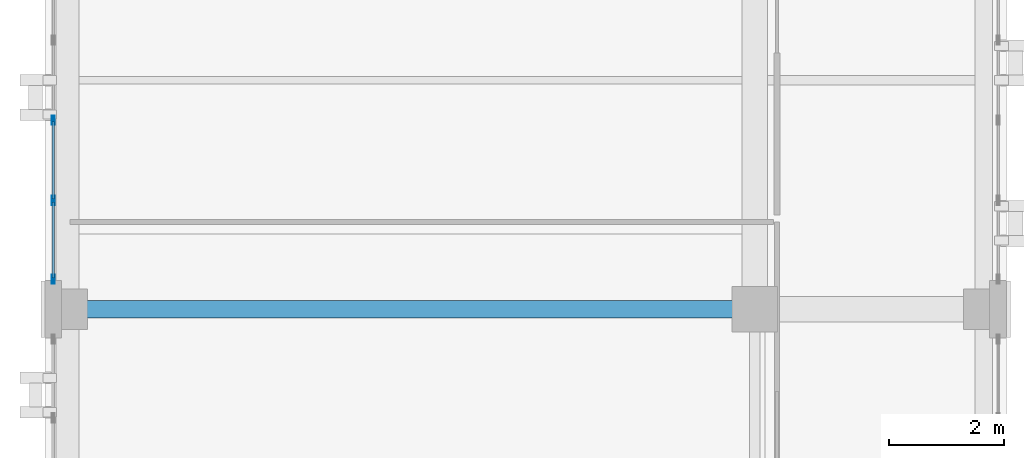
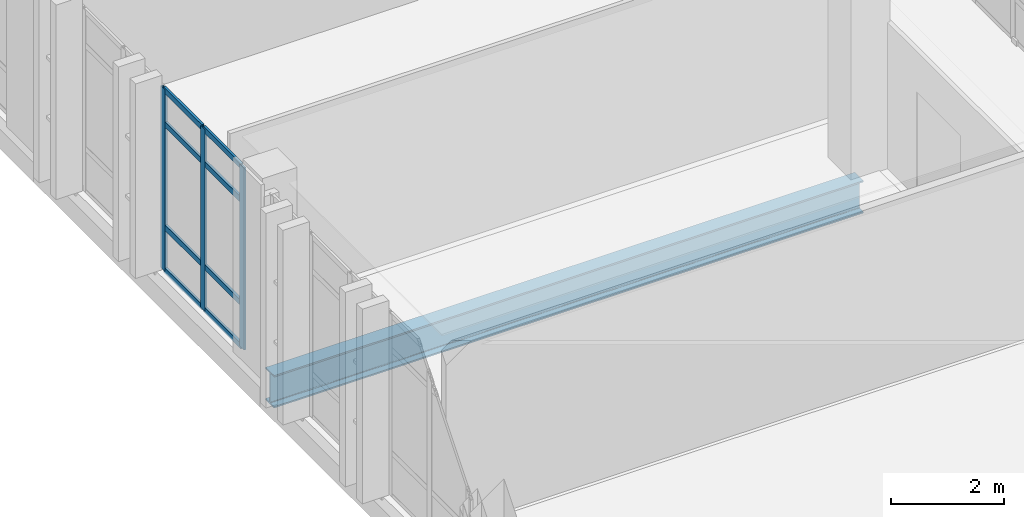
# One storey, part 65 of 165: 11 members, 1 beam, 1 element without a shape of its own.
"""IFC4 building model written with IfcOpenShell, lengths in metres."""

from ifc_helpers import new_model, si_unit, direction, frame, origin, origin_2d, place, context, subcontext, project, spatial, hollow_rectangle, i_section, extrude, material, layer, layer_set, material_profile, profile_set, type_object, element, aggregate, save


model = new_model("IFC4")

# Units and contexts
model_context = context("Model", 3, precision=1e-05, world=origin(), true_north=direction((0.0, 1.0)))
body_context = subcontext(model_context, "Body", "Model", "MODEL_VIEW")
ifc_project = project(units=[si_unit("LENGTHUNIT", "METRE"), si_unit("AREAUNIT", "SQUARE_METRE"), si_unit("VOLUMEUNIT", "CUBIC_METRE"), si_unit("PLANEANGLEUNIT", "RADIAN"), si_unit("MASSUNIT", "GRAM", prefix="KILO")], contexts=[model_context])

# Site, building, storey
site_placement = place(None, origin())
site = spatial("IfcSite", under=ifc_project, at=site_placement, CompositionType="ELEMENT")
building_placement = place(site_placement, origin())
building = spatial("IfcBuilding", under=site, at=building_placement, Name="Qalavern Law Courts", CompositionType="ELEMENT")
storey_placement = place(building_placement, frame((0.0, 0.0, 14.39990234375)))
storey = spatial("IfcBuildingStorey", under=building, at=storey_placement, Name="L03", CompositionType="ELEMENT", Elevation=14.39990234375)

# Curtain wall, members
ifc_material_1 = material(Name="Anodised aluminium and insulated glazing", Category="aluminium")
ifc_layer = layer(ifc_material_1, 0.172119140625)
ifc_layer_set = layer_set([ifc_layer], Name="Anodised aluminium and insulated glazing")
curtain_wall_type = type_object("IfcCurtainWallType", Name="ENV-CW-COURT", PredefinedType="USERDEFINED", material=ifc_layer_set)
curtain_wall_placement = place(storey_placement, origin())
curtain_wall = element("IfcCurtainWall", 1, at=curtain_wall_placement, inside=storey, type_object=curtain_wall_type, Name="V3 unitised curtain wall L03 west 4", ObjectType="UNITISED CURTAIN WALL", PredefinedType="USERDEFINED")
ifc_material_2 = material(Name="Anodised aluminium", Category="aluminium")
ifc_material_profile_1 = material_profile(ifc_material_2, hollow_rectangle(XDim=0.048095703125, YDim=0.159912109375, WallThickness=0.00390625, at=origin_2d()), Name="ALU MULLION 48x160")
ifc_profile_set_1 = profile_set([ifc_material_profile_1], Name="Anodised aluminium")
member_type_1 = type_object("IfcMemberType", Name="ENV-CWM-48x160", PredefinedType="MULLION", material=ifc_profile_set_1)
member_1_placement = place(storey_placement, frame((2.1474609375, 68.699951171875, 0.0), z_axis=(0.0, 0.0, 1.0), x_axis=(1.0, 0.0, 0.0)))
member_1 = element("IfcMember", 2, at=member_1_placement, type_object=member_type_1, Name="CW-03 mullion 4", PredefinedType="MULLION", context=body_context, shape_type="SweptSolid", body=[
    extrude(hollow_rectangle(XDim=0.048095703125, YDim=0.159912109375, WallThickness=0.00390625, at=origin_2d()), origin(), (0.0, 0.0, 1.0), 3.920166015625),
])
member_2_placement = place(storey_placement, frame((2.1474609375, 67.300048828125, 0.0), z_axis=(0.0, 0.0, 1.0), x_axis=(1.0, 0.0, 0.0)))
member_2 = element("IfcMember", 3, at=member_2_placement, type_object=member_type_1, Name="CW-03 mullion 5", PredefinedType="MULLION", context=body_context, shape_type="SweptSolid", body=[
    extrude(hollow_rectangle(XDim=0.048095703125, YDim=0.159912109375, WallThickness=0.00390625, at=origin_2d()), origin(), (0.0, 0.0, 1.0), 3.920166015625),
])
member_3_placement = place(storey_placement, frame((2.1474609375, 65.924072265625, 0.0), z_axis=(0.0, 0.0, 1.0), x_axis=(1.0, 0.0, 0.0)))
member_3 = element("IfcMember", 4, at=member_3_placement, type_object=member_type_1, Name="CW-03 mullion 6", PredefinedType="MULLION", context=body_context, shape_type="SweptSolid", body=[
    extrude(hollow_rectangle(XDim=0.048095703125, YDim=0.159912109375, WallThickness=0.00390625, at=origin_2d()), origin(), (0.0, 0.0, 1.0), 3.920166015625),
])
ifc_material_profile_2 = material_profile(ifc_material_2, hollow_rectangle(XDim=0.048095703125, YDim=0.1201171875, WallThickness=0.00390625, at=origin_2d()), Name="ALU TRANSOM 48x120")
ifc_profile_set_2 = profile_set([ifc_material_profile_2], Name="Anodised aluminium")
member_type_2 = type_object("IfcMemberType", Name="ENV-CWT-48x120", PredefinedType="USERDEFINED", material=ifc_profile_set_2)
member_4_placement = place(storey_placement, frame((2.1474609375, 68.676025390625, 0.024169921875), z_axis=(0.0, -1.0, 0.0), x_axis=(1.0, 0.0, 0.0)))
member_4 = element("IfcMember", 5, at=member_4_placement, type_object=member_type_2, Name="CW-03 transom 4.1", ObjectType="TRANSOM", PredefinedType="USERDEFINED", context=body_context, shape_type="SweptSolid", body=[
    extrude(hollow_rectangle(XDim=0.048095703125, YDim=0.1201171875, WallThickness=0.00390625, at=origin_2d()), origin(), (0.0, 0.0, 1.0), 1.35205078125),
])
member_5_placement = place(storey_placement, frame((2.1474609375, 68.676025390625, 0.9501953125), z_axis=(0.0, -1.0, 0.0), x_axis=(1.0, 0.0, 0.0)))
member_5 = element("IfcMember", 6, at=member_5_placement, type_object=member_type_2, Name="CW-03 transom 4.2", ObjectType="TRANSOM", PredefinedType="USERDEFINED", context=body_context, shape_type="SweptSolid", body=[
    extrude(hollow_rectangle(XDim=0.048095703125, YDim=0.1201171875, WallThickness=0.00390625, at=origin_2d()), origin(), (0.0, 0.0, 1.0), 1.35205078125),
])
member_6_placement = place(storey_placement, frame((2.1474609375, 68.676025390625, 3.170166015625), z_axis=(0.0, -1.0, 0.0), x_axis=(1.0, 0.0, 0.0)))
member_6 = element("IfcMember", 7, at=member_6_placement, type_object=member_type_2, Name="CW-03 transom 4.3", ObjectType="TRANSOM", PredefinedType="USERDEFINED", context=body_context, shape_type="SweptSolid", body=[
    extrude(hollow_rectangle(XDim=0.048095703125, YDim=0.1201171875, WallThickness=0.00390625, at=origin_2d()), origin(), (0.0, 0.0, 1.0), 1.35205078125),
])
member_7_placement = place(storey_placement, frame((2.1474609375, 68.676025390625, 3.89599609375), z_axis=(0.0, -1.0, 0.0), x_axis=(1.0, 0.0, 0.0)))
member_7 = element("IfcMember", 8, at=member_7_placement, type_object=member_type_2, Name="CW-03 transom 4.4", ObjectType="TRANSOM", PredefinedType="USERDEFINED", context=body_context, shape_type="SweptSolid", body=[
    extrude(hollow_rectangle(XDim=0.048095703125, YDim=0.1201171875, WallThickness=0.00390625, at=origin_2d()), origin(), (0.0, 0.0, 1.0), 1.35205078125),
])
member_8_placement = place(storey_placement, frame((2.1474609375, 67.27587890625, 0.024169921875), z_axis=(0.0, -1.0, 0.0), x_axis=(1.0, 0.0, 0.0)))
member_8 = element("IfcMember", 9, at=member_8_placement, type_object=member_type_2, Name="CW-03 transom 5.1", ObjectType="TRANSOM", PredefinedType="USERDEFINED", context=body_context, shape_type="SweptSolid", body=[
    extrude(hollow_rectangle(XDim=0.048095703125, YDim=0.1201171875, WallThickness=0.00390625, at=origin_2d()), origin(), (0.0, 0.0, 1.0), 1.327880859375),
])
member_9_placement = place(storey_placement, frame((2.1474609375, 67.27587890625, 0.9501953125), z_axis=(0.0, -1.0, 0.0), x_axis=(1.0, 0.0, 0.0)))
member_9 = element("IfcMember", 10, at=member_9_placement, type_object=member_type_2, Name="CW-03 transom 5.2", ObjectType="TRANSOM", PredefinedType="USERDEFINED", context=body_context, shape_type="SweptSolid", body=[
    extrude(hollow_rectangle(XDim=0.048095703125, YDim=0.1201171875, WallThickness=0.00390625, at=origin_2d()), origin(), (0.0, 0.0, 1.0), 1.327880859375),
])
member_10_placement = place(storey_placement, frame((2.1474609375, 67.27587890625, 3.170166015625), z_axis=(0.0, -1.0, 0.0), x_axis=(1.0, 0.0, 0.0)))
member_10 = element("IfcMember", 11, at=member_10_placement, type_object=member_type_2, Name="CW-03 transom 5.3", ObjectType="TRANSOM", PredefinedType="USERDEFINED", context=body_context, shape_type="SweptSolid", body=[
    extrude(hollow_rectangle(XDim=0.048095703125, YDim=0.1201171875, WallThickness=0.00390625, at=origin_2d()), origin(), (0.0, 0.0, 1.0), 1.327880859375),
])
member_11_placement = place(storey_placement, frame((2.1474609375, 67.27587890625, 3.89599609375), z_axis=(0.0, -1.0, 0.0), x_axis=(1.0, 0.0, 0.0)))
member_11 = element("IfcMember", 12, at=member_11_placement, type_object=member_type_2, Name="CW-03 transom 5.4", ObjectType="TRANSOM", PredefinedType="USERDEFINED", context=body_context, shape_type="SweptSolid", body=[
    extrude(hollow_rectangle(XDim=0.048095703125, YDim=0.1201171875, WallThickness=0.00390625, at=origin_2d()), origin(), (0.0, 0.0, 1.0), 1.327880859375),
])
aggregate(curtain_wall, [member_1, member_2, member_3, member_4, member_5, member_6, member_7, member_8, member_9, member_10, member_11])

# Beam
ifc_material_3 = material(Name="Steel S355", Category="steel")
ifc_material_profile_3 = material_profile(ifc_material_3, i_section(OverallWidth=0.300048828125, OverallDepth=0.699951171875, WebThickness=0.01708984375, FlangeThickness=0.031982421875, FilletRadius=0.027099609375, at=origin_2d()), Name="HEB 700")
ifc_profile_set_3 = profile_set([ifc_material_profile_3], Name="Steel S355")
beam_type = type_object("IfcBeamType", Name="STR-BM-HEB700", PredefinedType="BEAM", material=ifc_profile_set_3)
beam_placement = place(storey_placement, frame((2.39990234375, 65.39990234375, -0.635009765625), z_axis=(1.0, 0.0, 0.0), x_axis=(0.0, 1.0, 0.0)))
element("IfcBeam", 13, at=beam_placement, inside=storey, type_object=beam_type, Name="V3 X-beam 4-1 L03", PredefinedType="BEAM", context=body_context, shape_type="SweptSolid", body=[
    extrude(i_section(OverallWidth=0.300048828125, OverallDepth=0.699951171875, WebThickness=0.01708984375, FlangeThickness=0.031982421875, FilletRadius=0.027099609375, at=origin_2d()), origin(), (0.0, 0.0, 1.0), 12.0),
])

save(model, "model.ifc")
